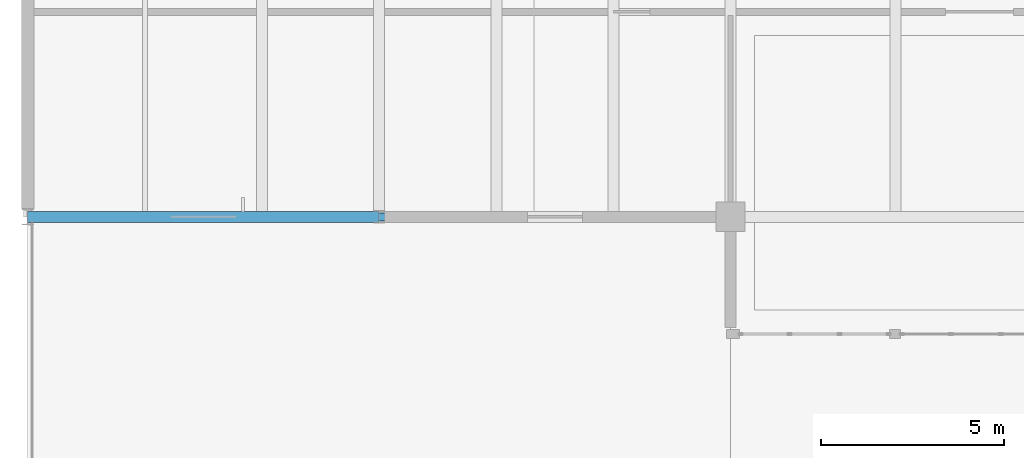
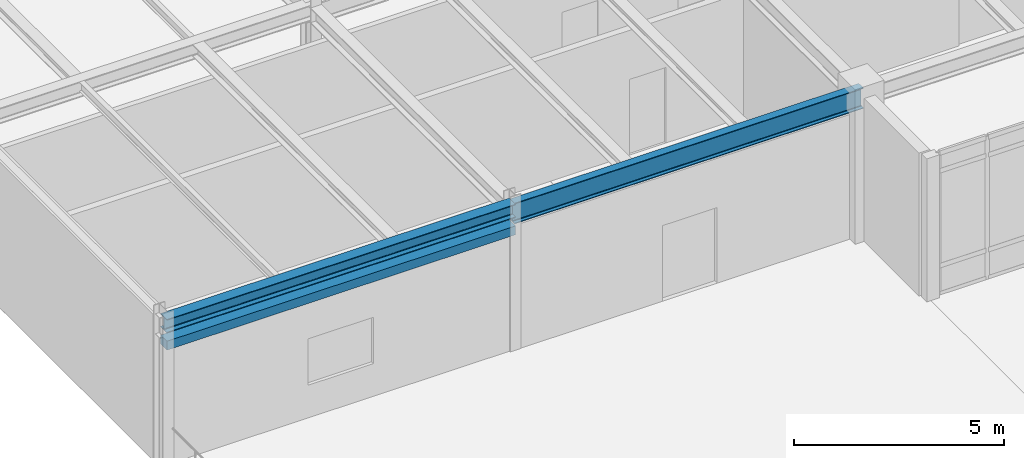
# One storey, part 5 of 55: 3 beams.
"""IFC4 building model written with IfcOpenShell, lengths in metres."""

from ifc_helpers import new_model, si_unit, direction, frame, origin, origin_2d, place, context, subcontext, project, spatial, rectangle, i_section, extrude, material, material_profile, profile_set, type_object, element, save


model = new_model("IFC4")

# Units and contexts
model_context = context("Model", 3, precision=1e-05, world=origin(), true_north=direction((0.0, 1.0)))
body_context = subcontext(model_context, "Body", "Model", "MODEL_VIEW")
ifc_project = project(units=[si_unit("LENGTHUNIT", "METRE"), si_unit("AREAUNIT", "SQUARE_METRE"), si_unit("VOLUMEUNIT", "CUBIC_METRE"), si_unit("PLANEANGLEUNIT", "RADIAN"), si_unit("MASSUNIT", "GRAM", prefix="KILO")], contexts=[model_context])

# Site, building, storey
site_placement = place(None, origin())
site = spatial("IfcSite", under=ifc_project, at=site_placement, CompositionType="ELEMENT")
building_placement = place(site_placement, origin())
building = spatial("IfcBuilding", under=site, at=building_placement, Name="Fikremerkos Civic Library", CompositionType="ELEMENT")
storey_placement = place(building_placement, frame((0.0, 0.0, 18.89990234375)))
storey = spatial("IfcBuildingStorey", under=building, at=storey_placement, Name="L04", CompositionType="ELEMENT", Elevation=18.89990234375)

# Beams
ifc_material_1 = material(Name="Concrete C40/50", Category="concrete")
ifc_material_profile_1 = material_profile(ifc_material_1, rectangle(XDim=0.300048828125, YDim=0.260009765625, at=origin_2d()), Name="RC 300x260")
ifc_profile_set_1 = profile_set([ifc_material_profile_1], Name="Concrete C40/50")
beam_type_1 = type_object("IfcBeamType", Name="Opening lintel LNT-02 RC 300x260", PredefinedType="LINTEL", material=ifc_profile_set_1)
beam_1_placement = place(storey_placement, frame((9.60009765625, 12.0, 3.47998046875), z_axis=(-1.0, 0.0, 0.0), x_axis=(0.0, -1.0, 0.0)))
element("IfcBeam", 1, at=beam_1_placement, inside=storey, type_object=beam_type_1, Name="Courtyard window head lintel LNT-02 L04 #41", PredefinedType="LINTEL", context=body_context, shape_type="SweptSolid", body=[
    extrude(rectangle(XDim=0.300048828125, YDim=0.260009765625, at=origin_2d()), origin(), (0.0, 0.0, 1.0), 9.60009765625),
])
ifc_material_2 = material(Name="Steel S355", Category="steel")
ifc_material_profile_2 = material_profile(ifc_material_2, i_section(OverallWidth=0.300048828125, OverallDepth=0.389892578125, WebThickness=0.010986328125, FlangeThickness=0.01904296875, FilletRadius=0.027099609375, at=origin_2d()), Name="HEA 400")
ifc_profile_set_2 = profile_set([ifc_material_profile_2], Name="Steel S355")
beam_type_2 = type_object("IfcBeamType", Name="Primary girder BM-19 HEA 400", PredefinedType="BEAM", material=ifc_profile_set_2)
beam_2_placement = place(storey_placement, frame((0.0, 12.0, 4.045166015625), z_axis=(1.0, 0.0, 0.0), x_axis=(0.0, 1.0, 0.0)))
element("IfcBeam", 2, at=beam_2_placement, inside=storey, type_object=beam_type_2, Name="Primary girder BM-19 L04 grid E", PredefinedType="BEAM", context=body_context, shape_type="SweptSolid", body=[
    extrude(i_section(OverallWidth=0.300048828125, OverallDepth=0.389892578125, WebThickness=0.010986328125, FlangeThickness=0.01904296875, FilletRadius=0.027099609375, at=origin_2d()), origin(), (0.0, 0.0, 1.0), 9.60009765625),
])
ifc_material_profile_3 = material_profile(ifc_material_2, i_section(OverallWidth=0.219970703125, OverallDepth=0.60009765625, WebThickness=0.011962890625, FlangeThickness=0.01904296875, FilletRadius=0.02392578125, at=origin_2d()), Name="IPE 600")
ifc_profile_set_3 = profile_set([ifc_material_profile_3], Name="Steel S355")
beam_type_3 = type_object("IfcBeamType", Name="Primary girder BM-20 IPE 600", PredefinedType="BEAM", material=ifc_profile_set_3)
beam_3_placement = place(storey_placement, frame((9.60009765625, 12.0, 3.940185546875), z_axis=(1.0, 0.0, 0.0), x_axis=(0.0, 1.0, 0.0)))
element("IfcBeam", 3, at=beam_3_placement, inside=storey, type_object=beam_type_3, Name="Primary girder BM-20 L04 grid E", PredefinedType="BEAM", context=body_context, shape_type="SweptSolid", body=[
    extrude(i_section(OverallWidth=0.219970703125, OverallDepth=0.60009765625, WebThickness=0.011962890625, FlangeThickness=0.01904296875, FilletRadius=0.02392578125, at=origin_2d()), origin(), (0.0, 0.0, 1.0), 9.599853515625),
])

save(model, "model.ifc")
